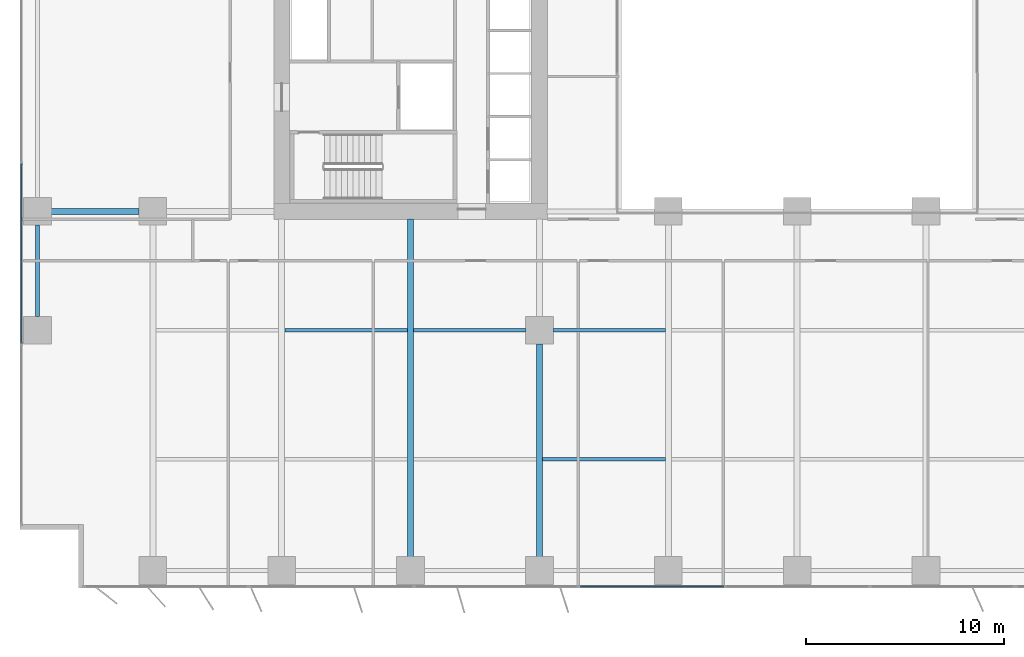
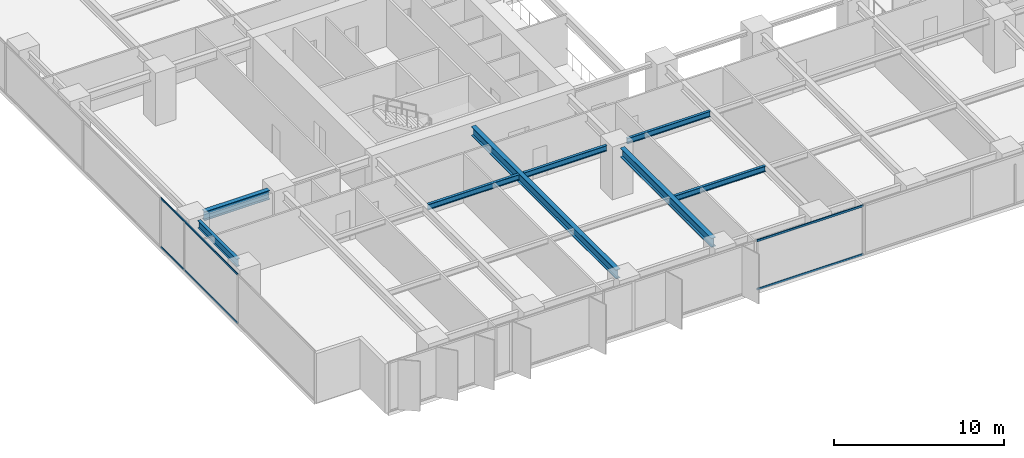
# One storey, part 3 of 20: 8 beams, 4 members, 2 elements without a shape of their own.
"""IFC4 building model written with IfcOpenShell, lengths in metres."""

from ifc_helpers import new_model, si_unit, direction, frame, origin, origin_2d, place, context, subcontext, project, spatial, rectangle, i_section, extrude, material, layer, layer_set, material_profile, profile_set, type_object, element, aggregate, save


model = new_model("IFC4")

# Units and contexts
model_context = context("Model", 3, precision=1e-05, world=origin(), true_north=direction((0.0, 1.0)))
body_context = subcontext(model_context, "Body", "Model", "MODEL_VIEW")
ifc_project = project(units=[si_unit("LENGTHUNIT", "METRE"), si_unit("AREAUNIT", "SQUARE_METRE"), si_unit("VOLUMEUNIT", "CUBIC_METRE"), si_unit("PLANEANGLEUNIT", "RADIAN"), si_unit("MASSUNIT", "GRAM", prefix="KILO")], contexts=[model_context])

# Site, building, storey
site_placement = place(None, origin())
site = spatial("IfcSite", under=ifc_project, at=site_placement, CompositionType="ELEMENT")
building_placement = place(site_placement, origin())
building = spatial("IfcBuilding", under=site, at=building_placement, Name="Putna Gate Headquarters", CompositionType="ELEMENT")
storey_placement = place(building_placement, frame((0.0, 0.0, 65.800048828125)))
storey = spatial("IfcBuildingStorey", under=building, at=storey_placement, Name="L15", CompositionType="ELEMENT", Elevation=65.800048828125)

# Beams
ifc_material_1 = material(Name="Steel S355J2", Category="steel")
ifc_material_profile_1 = material_profile(ifc_material_1, i_section(OverallWidth=0.300048828125, OverallDepth=0.64990234375, WebThickness=0.01611328125, FlangeThickness=0.031005859375, at=origin_2d()), Name="Steel S355J2")
ifc_profile_set_1 = profile_set([ifc_material_profile_1], Name="Steel S355J2")
beam_type_1 = type_object("IfcBeamType", Name="BM-GIRD-Z1-HEB650", PredefinedType="USERDEFINED", material=ifc_profile_set_1)
beam_1_placement = place(storey_placement, frame((1.367919921875, 19.0, 3.224853515625), z_axis=(1.0, 0.0, 0.0), x_axis=(0.0, 1.0, 0.0)))
element("IfcBeam", 1, at=beam_1_placement, inside=storey, type_object=beam_type_1, Name="L15 West Wing Girder Y19-1", ObjectType="GIRDER", PredefinedType="USERDEFINED", context=body_context, shape_type="SweptSolid", body=[
    extrude(i_section(OverallWidth=0.300048828125, OverallDepth=0.64990234375, WebThickness=0.01611328125, FlangeThickness=0.031005859375, at=origin_2d()), origin(), (0.0, 0.0, 1.0), 4.444091796875),
])
beam_2_placement = place(storey_placement, frame((19.5, 1.568115234375, 3.224853515625), z_axis=(0.0, 1.0, 0.0), x_axis=(-1.0, 0.0, 0.0)))
element("IfcBeam", 2, at=beam_2_placement, inside=storey, type_object=beam_type_1, Name="L15 South Primary Girder X19", ObjectType="GIRDER", PredefinedType="USERDEFINED", context=body_context, shape_type="SweptSolid", body=[
    extrude(i_section(OverallWidth=0.300048828125, OverallDepth=0.64990234375, WebThickness=0.01611328125, FlangeThickness=0.031005859375, at=origin_2d()), origin(), (0.0, 0.0, 1.0), 17.046875),
])
beam_3_placement = place(storey_placement, frame((26.0, 1.568115234375, 3.224853515625), z_axis=(0.0, 1.0, 0.0), x_axis=(-1.0, 0.0, 0.0)))
element("IfcBeam", 3, at=beam_3_placement, inside=storey, type_object=beam_type_1, Name="L15 South Primary Girder X26-1", ObjectType="GIRDER", PredefinedType="USERDEFINED", context=body_context, shape_type="SweptSolid", body=[
    extrude(i_section(OverallWidth=0.300048828125, OverallDepth=0.64990234375, WebThickness=0.01611328125, FlangeThickness=0.031005859375, at=origin_2d()), origin(), (0.0, 0.0, 1.0), 10.743896484375),
])
ifc_material_profile_2 = material_profile(ifc_material_1, i_section(OverallWidth=0.179931640625, OverallDepth=0.39990234375, WebThickness=0.008544921875, FlangeThickness=0.013427734375, at=origin_2d()), Name="Steel S355J2")
ifc_profile_set_2 = profile_set([ifc_material_profile_2], Name="Steel S355J2")
beam_type_2 = type_object("IfcBeamType", Name="BM-SEC-Z1-IPE400", PredefinedType="BEAM", material=ifc_profile_set_2)
beam_4_placement = place(storey_placement, frame((13.154052734375, 13.0, 3.349853515625), z_axis=(1.0, 0.0, 0.0), x_axis=(0.0, 1.0, 0.0)))
element("IfcBeam", 4, at=beam_4_placement, inside=storey, type_object=beam_type_2, Name="L15 South Secondary Beam 2", PredefinedType="BEAM", context=body_context, shape_type="SweptSolid", body=[
    extrude(i_section(OverallWidth=0.179931640625, OverallDepth=0.39990234375, WebThickness=0.008544921875, FlangeThickness=0.013427734375, at=origin_2d()), origin(), (0.0, 0.0, 1.0), 6.19189453125),
])
beam_5_placement = place(storey_placement, frame((19.654052734375, 13.0, 3.349853515625), z_axis=(1.0, 0.0, 0.0), x_axis=(0.0, 1.0, 0.0)))
element("IfcBeam", 5, at=beam_5_placement, inside=storey, type_object=beam_type_2, Name="L15 South Secondary Beam 3", PredefinedType="BEAM", context=body_context, shape_type="SweptSolid", body=[
    extrude(i_section(OverallWidth=0.179931640625, OverallDepth=0.39990234375, WebThickness=0.008544921875, FlangeThickness=0.013427734375, at=origin_2d()), origin(), (0.0, 0.0, 1.0), 5.657958984375),
])
beam_6_placement = place(storey_placement, frame((26.154052734375, 6.5, 3.349853515625), z_axis=(1.0, 0.0, 0.0), x_axis=(0.0, 1.0, 0.0)))
element("IfcBeam", 6, at=beam_6_placement, inside=storey, type_object=beam_type_2, Name="L15 South Secondary Beam 4", PredefinedType="BEAM", context=body_context, shape_type="SweptSolid", body=[
    extrude(i_section(OverallWidth=0.179931640625, OverallDepth=0.39990234375, WebThickness=0.008544921875, FlangeThickness=0.013427734375, at=origin_2d()), origin(), (0.0, 0.0, 1.0), 6.19189453125),
])
beam_7_placement = place(storey_placement, frame((26.68798828125, 13.0, 3.349853515625), z_axis=(1.0, 0.0, 0.0), x_axis=(0.0, 1.0, 0.0)))
element("IfcBeam", 7, at=beam_7_placement, inside=storey, type_object=beam_type_2, Name="L15 South Secondary Beam 4", PredefinedType="BEAM", context=body_context, shape_type="SweptSolid", body=[
    extrude(i_section(OverallWidth=0.179931640625, OverallDepth=0.39990234375, WebThickness=0.008544921875, FlangeThickness=0.013427734375, at=origin_2d()), origin(), (0.0, 0.0, 1.0), 5.657958984375),
])
ifc_material_profile_3 = material_profile(ifc_material_1, i_section(OverallWidth=0.2099609375, OverallDepth=0.550048828125, WebThickness=0.010986328125, FlangeThickness=0.01708984375, at=origin_2d()), Name="Steel S355J2")
ifc_profile_set_3 = profile_set([ifc_material_profile_3], Name="Steel S355J2")
beam_type_3 = type_object("IfcBeamType", Name="BM-SPAN-Z1-IPE550", PredefinedType="SPANDREL", material=ifc_profile_set_3)
beam_8_placement = place(storey_placement, frame((0.679931640625, 13.68798828125, 3.27490234375), z_axis=(0.0, 1.0, 0.0), x_axis=(-1.0, 0.0, 0.0)))
element("IfcBeam", 8, at=beam_8_placement, inside=storey, type_object=beam_type_3, Name="L15 W End Spandrel 1", PredefinedType="SPANDREL", context=body_context, shape_type="SweptSolid", body=[
    extrude(i_section(OverallWidth=0.2099609375, OverallDepth=0.550048828125, WebThickness=0.010986328125, FlangeThickness=0.01708984375, at=origin_2d()), origin(), (0.0, 0.0, 1.0), 4.6240234375),
])

# Curtain wall, members
ifc_material_2 = material(Name="Anodised bronze aluminium curtain wall", Category="aluminium")
ifc_layer_1 = layer(ifc_material_2, 0.179931640625)
ifc_layer_set_1 = layer_set([ifc_layer_1], Name="Anodised bronze aluminium curtain wall")
curtain_wall_type_1 = type_object("IfcCurtainWallType", Name="CW-SYS-Z1", PredefinedType="USERDEFINED", material=ifc_layer_set_1)
curtain_wall_1_placement = place(storey_placement, origin())
curtain_wall_1 = element("IfcCurtainWall", 9, at=curtain_wall_1_placement, inside=storey, type_object=curtain_wall_type_1, Name="L15 West Curtain Wall", ObjectType="STICK CURTAIN WALL", PredefinedType="USERDEFINED")
ifc_material_3 = material(Name="Anodised bronze aluminium EN AW-6060", Category="aluminium")
ifc_material_profile_4 = material_profile(ifc_material_3, rectangle(XDim=0.06494140625, YDim=0.1201171875, at=origin_2d()), Name="Anodised bronze aluminium EN AW-6060")
ifc_profile_set_4 = profile_set([ifc_material_profile_4], Name="Anodised bronze aluminium EN AW-6060")
member_type_1 = type_object("IfcMemberType", Name="TRAN-CWT-1", PredefinedType="USERDEFINED", material=ifc_profile_set_4)
member_1_placement = place(storey_placement, frame((-0.1201171875, 12.35498046875, 0.032470703125), z_axis=(0.0, 1.0, 0.0), x_axis=(-1.0, 0.0, 0.0)))
member_1 = element("IfcMember", 10, at=member_1_placement, type_object=member_type_1, Name="CWS-1 transom 2.1", ObjectType="TRANSOM", PredefinedType="USERDEFINED", context=body_context, shape_type="SweptSolid", body=[
    extrude(rectangle(XDim=0.06494140625, YDim=0.1201171875, at=origin_2d()), origin(), (0.0, 0.0, 1.0), 9.050048828125),
])
member_2_placement = place(storey_placement, frame((-0.1201171875, 12.35498046875, 3.517333984375), z_axis=(0.0, 1.0, 0.0), x_axis=(-1.0, 0.0, 0.0)))
member_2 = element("IfcMember", 11, at=member_2_placement, type_object=member_type_1, Name="CWS-1 transom 2.2", ObjectType="TRANSOM", PredefinedType="USERDEFINED", context=body_context, shape_type="SweptSolid", body=[
    extrude(rectangle(XDim=0.06494140625, YDim=0.1201171875, at=origin_2d()), origin(), (0.0, 0.0, 1.0), 9.050048828125),
])
aggregate(curtain_wall_1, [member_1, member_2])

ifc_layer_2 = layer(ifc_material_2, 0.179931640625)
ifc_layer_set_2 = layer_set([ifc_layer_2], Name="Anodised bronze aluminium curtain wall")
curtain_wall_type_2 = type_object("IfcCurtainWallType", Name="CW-SYS-ATR", PredefinedType="USERDEFINED", material=ifc_layer_set_2)
curtain_wall_2_placement = place(storey_placement, origin())
curtain_wall_2 = element("IfcCurtainWall", 12, at=curtain_wall_2_placement, inside=storey, type_object=curtain_wall_type_2, Name="L15 South Atrium Clear Glazing", ObjectType="ATRIUM GLAZING", PredefinedType="USERDEFINED")
ifc_material_profile_5 = material_profile(ifc_material_3, rectangle(XDim=0.070068359375, YDim=0.139892578125, at=origin_2d()), Name="Anodised bronze aluminium EN AW-6060")
ifc_profile_set_5 = profile_set([ifc_material_profile_5], Name="Anodised bronze aluminium EN AW-6060")
member_type_2 = type_object("IfcMemberType", Name="TRAN-CWT-AT", PredefinedType="USERDEFINED", material=ifc_profile_set_5)
member_3_placement = place(storey_placement, frame((28.070068359375, 0.080078125, 0.034912109375), z_axis=(1.0, 0.0, 0.0), x_axis=(0.0, 1.0, 0.0)))
member_3 = element("IfcMember", 13, at=member_3_placement, type_object=member_type_2, Name="CWS-AT transom 1.1", ObjectType="TRANSOM", PredefinedType="USERDEFINED", context=body_context, shape_type="SweptSolid", body=[
    extrude(rectangle(XDim=0.070068359375, YDim=0.139892578125, at=origin_2d()), origin(), (0.0, 0.0, 1.0), 7.228271484375),
])
member_4_placement = place(storey_placement, frame((28.070068359375, 0.080078125, 3.514892578125), z_axis=(1.0, 0.0, 0.0), x_axis=(0.0, 1.0, 0.0)))
member_4 = element("IfcMember", 14, at=member_4_placement, type_object=member_type_2, Name="CWS-AT transom 1.2", ObjectType="TRANSOM", PredefinedType="USERDEFINED", context=body_context, shape_type="SweptSolid", body=[
    extrude(rectangle(XDim=0.070068359375, YDim=0.139892578125, at=origin_2d()), origin(), (0.0, 0.0, 1.0), 7.228271484375),
])
aggregate(curtain_wall_2, [member_3, member_4])

save(model, "model.ifc")
